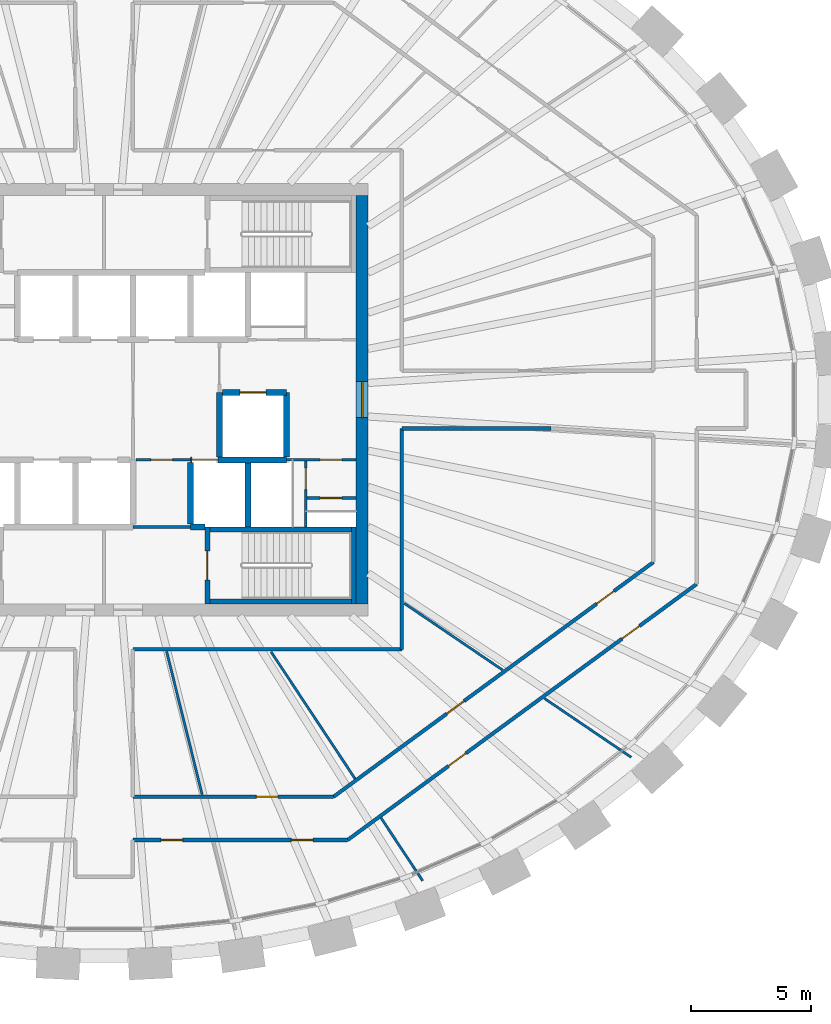
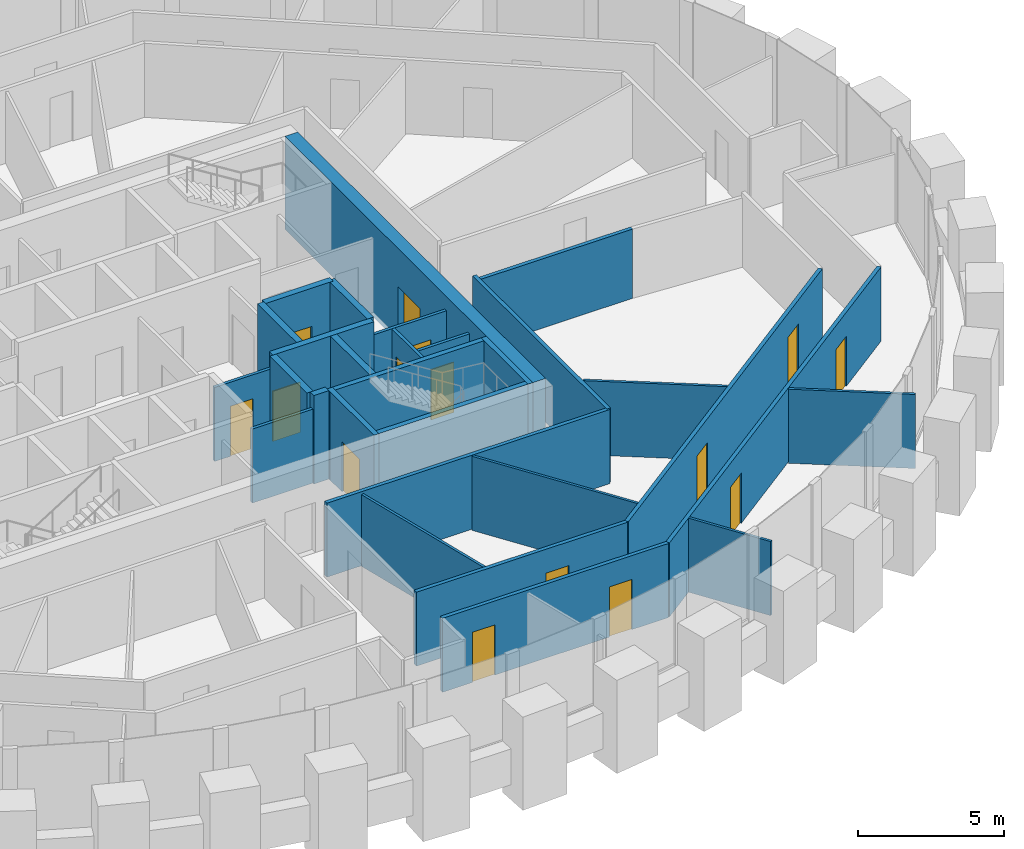
# One storey, part 8 of 12: 29 walls, 15 doors, 15 openings.
"""IFC4 building model written with IfcOpenShell, lengths in metres."""

from ifc_helpers import new_model, si_unit, direction, frame, frame_2d, origin, place, context, subcontext, project, spatial, rectangle, extrude, source, transform, mapped, material, layer, layer_set, type_object, element, fill, save


model = new_model("IFC4")

# Units and contexts
model_context = context("Model", 3, precision=1e-05, world=origin(), true_north=direction((0.0, 1.0)))
body_context = subcontext(model_context, "Body", "Model", "MODEL_VIEW")
ifc_project = project(units=[si_unit("LENGTHUNIT", "METRE"), si_unit("AREAUNIT", "SQUARE_METRE"), si_unit("VOLUMEUNIT", "CUBIC_METRE"), si_unit("PLANEANGLEUNIT", "RADIAN"), si_unit("MASSUNIT", "GRAM", prefix="KILO")], contexts=[model_context])

# Site, building, storey
site_placement = place(None, origin())
site = spatial("IfcSite", under=ifc_project, at=site_placement, CompositionType="ELEMENT")
building_placement = place(site_placement, origin())
building = spatial("IfcBuilding", under=site, at=building_placement, Name="Embergate Tower", CompositionType="ELEMENT")
storey_placement = place(building_placement, frame((0.0, 0.0, 313.0)))
storey = spatial("IfcBuildingStorey", under=building, at=storey_placement, Name="L73", CompositionType="ELEMENT", Elevation=313.0)

# Wall, opening, door
ifc_material_1 = material(Name="Concrete C50", Category="concrete")
ifc_layer_1 = layer(ifc_material_1, 0.5)
ifc_layer_set_1 = layer_set([ifc_layer_1], Name="Concrete C50")
wall_type_1 = type_object("IfcWallType", Name="Core outer wall C50 500", PredefinedType="SHEAR", material=ifc_layer_set_1)
shared_shape_1 = source(origin(), body_context, "Body", "SweptSolid", [
    extrude(rectangle(XDim=17.0, YDim=0.5, at=frame_2d((8.5, 0.0))), origin(), (0.0, 0.0, 1.0), 3.89990234375),
])
wall_1_placement = place(storey_placement, frame((10.75, -8.5, -0.199951171875), z_axis=(0.0, 0.0, 1.0), x_axis=(0.0, 1.0, 0.0)))
wall_1 = element("IfcWall", 1, at=wall_1_placement, inside=storey, type_object=wall_type_1, Name="CW-L73-E", PredefinedType="SHEAR", context=body_context, shape_type="MappedRepresentation", body=[
    mapped(shared_shape_1, transform((0.0, 0.0, 0.0))),
])
shared_shape_2 = source(origin(), body_context, "Body", "SweptSolid", [
    extrude(rectangle(XDim=1.5, YDim=2.10009765625, at=frame_2d((0.75, 1.050048828125))), frame((0.0, 0.260009765625, 0.0), z_axis=(0.0, -1.0, 0.0), x_axis=(1.0, 0.0, 0.0)), (0.0, 0.0, 1.0), 0.52001953125),
])
opening_1_placement = place(wall_1_placement, frame((7.75, 0.0, 0.199951171875)))
opening_1 = element("IfcOpeningElement", 2, at=opening_1_placement, cuts=wall_1, Name="Opening IF-3", PredefinedType="OPENING", context=body_context, shape_type="MappedRepresentation", body=[
    mapped(shared_shape_2, transform((0.0, 0.0, 0.0))),
])
ifc_material_2 = material(Name="Lobby fire door pair 1500")
door_type_1 = type_object("IfcDoorType", Name="Lobby fire door pair 1500", OperationType="DOUBLE_DOOR_SINGLE_SWING", PredefinedType="DOOR", material=ifc_material_2)
shared_shape_3 = source(origin(), body_context, "Body", "SweptSolid", [
    extrude(rectangle(XDim=1.5, YDim=2.10009765625, at=frame_2d((0.75, 1.050048828125))), frame((0.0, 0.02490234375, 0.0), z_axis=(0.0, -1.0, 0.0), x_axis=(1.0, 0.0, 0.0)), (0.0, 0.0, 1.0), 0.050048828125),
])
door_1_placement = place(opening_1_placement, origin())
door_1 = element("IfcDoor", 3, at=door_1_placement, inside=storey, type_object=door_type_1, Name="IF-3 door", OperationType="DOUBLE_DOOR_SINGLE_SWING", OverallHeight=2.10009765625, OverallWidth=1.5, PredefinedType="DOOR", context=body_context, shape_type="MappedRepresentation", body=[
    mapped(shared_shape_3, transform((0.0, 0.0, 0.0))),
])
fill(opening_1, door_1)

# Walls
ifc_layer_2 = layer(ifc_material_1, 0.25)
ifc_layer_set_2 = layer_set([ifc_layer_2], Name="Concrete C50")
wall_type_2 = type_object("IfcWallType", Name="Hoistway wall reinforced concrete 250", PredefinedType="SHEAR", material=ifc_layer_set_2)
shared_shape_4 = source(origin(), body_context, "Body", "SweptSolid", [
    extrude(rectangle(XDim=2.675048828125, YDim=0.25, at=frame_2d((1.33740234375, 0.0))), origin(), (0.0, 0.0, 1.0), 3.699951171875),
])
for number, where, z_axis, x_axis, name in (
    (4, (6.0, -5.300048828125, 0.0), (0.0, 0.0, 1.0), (0.0, 1.0, 0.0), "HW-1 wall"),
    (5, (4.800048828125, -2.375, 0.0), (0.0, 0.0, 1.0), (0.0, 1.0, 0.0), "HW-1 wall"),
):
    element("IfcWall", number, at=place(storey_placement, frame(where, z_axis=z_axis, x_axis=x_axis)), inside=storey, type_object=wall_type_2, Name=name, PredefinedType="SHEAR", context=body_context, shape_type="MappedRepresentation", body=[
        mapped(shared_shape_4, transform((0.0, 0.0, 0.0))),
    ])

# Wall, opening, door
wall_2_placement = place(storey_placement, frame((7.60009765625, 0.300048828125, 0.0), z_axis=(0.0, 0.0, 1.0), x_axis=(-1.0, 0.0, 0.0)))
wall_2 = element("IfcWall", 6, at=wall_2_placement, inside=storey, type_object=wall_type_2, Name="HW-1 wall", PredefinedType="SHEAR", context=body_context, shape_type="MappedRepresentation", body=[
    mapped(shared_shape_4, transform((0.0, 0.0, 0.0))),
])
shared_shape_5 = source(origin(), body_context, "Body", "SweptSolid", [
    extrude(rectangle(XDim=1.10009765625, YDim=2.10009765625, at=frame_2d((0.550048828125, 1.050048828125))), frame((0.0, 0.135009765625, 0.0), z_axis=(0.0, -1.0, 0.0), x_axis=(1.0, 0.0, 0.0)), (0.0, 0.0, 1.0), 0.27001953125),
])
opening_2_placement = place(wall_2_placement, frame((0.85009765625, 0.0, 0.0)))
opening_2 = element("IfcOpeningElement", 7, at=opening_2_placement, cuts=wall_2, Name="Opening LD", PredefinedType="OPENING", context=body_context, shape_type="MappedRepresentation", body=[
    mapped(shared_shape_5, transform((0.0, 0.0, 0.0))),
])
ifc_material_3 = material(Name="Landing door sliding 1100")
door_type_2 = type_object("IfcDoorType", Name="Landing door sliding 1100", OperationType="SLIDING_TO_LEFT", PredefinedType="DOOR", material=ifc_material_3)
shared_shape_6 = source(origin(), body_context, "Body", "SweptSolid", [
    extrude(rectangle(XDim=1.10009765625, YDim=2.10009765625, at=frame_2d((0.550048828125, 1.050048828125))), frame((0.0, 0.02490234375, 0.0), z_axis=(0.0, -1.0, 0.0), x_axis=(1.0, 0.0, 0.0)), (0.0, 0.0, 1.0), 0.050048828125),
])
door_2_placement = place(opening_2_placement, origin())
door_2 = element("IfcDoor", 8, at=door_2_placement, inside=storey, type_object=door_type_2, Name="LD door", OperationType="SLIDING_TO_RIGHT", OverallHeight=2.10009765625, OverallWidth=1.10009765625, PredefinedType="DOOR", context=body_context, shape_type="MappedRepresentation", body=[
    mapped(shared_shape_6, transform((0.0, 0.0, 0.0))),
])
fill(opening_2, door_2)

# Walls
wall_3_placement = place(storey_placement, frame((7.60009765625, -2.375, 0.0), z_axis=(0.0, 0.0, 1.0), x_axis=(0.0, 1.0, 0.0)))
element("IfcWall", 9, at=wall_3_placement, inside=storey, type_object=wall_type_2, Name="HW-1 wall", PredefinedType="SHEAR", context=body_context, shape_type="MappedRepresentation", body=[
    mapped(shared_shape_4, transform((0.0, 0.0, 0.0))),
])
ifc_layer_3 = layer(ifc_material_1, 0.199951171875)
ifc_layer_set_3 = layer_set([ifc_layer_3], Name="Concrete C50")
wall_type_3 = type_object("IfcWallType", Name="Stair enclosure wall reinforced concrete 250", PredefinedType="SHEAR", material=ifc_layer_set_3)
shared_shape_7 = source(origin(), body_context, "Body", "SweptSolid", [
    extrude(rectangle(XDim=6.300048828125, YDim=0.199951171875, at=frame_2d((3.14990234375, 0.0))), origin(), (0.0, 0.0, 1.0), 3.699951171875),
])
wall_4_placement = place(storey_placement, frame((4.199951171875, -5.39990234375, 0.0), z_axis=(0.0, 0.0, 1.0), x_axis=(1.0, 0.0, 0.0)))
element("IfcWall", 10, at=wall_4_placement, inside=storey, type_object=wall_type_3, Name="SE-1 wall", PredefinedType="SHEAR", context=body_context, shape_type="MappedRepresentation", body=[
    mapped(shared_shape_7, transform((0.0, 0.0, 0.0))),
])

# Wall, opening, door
ifc_material_4 = material(Name="Core partition blockwork 120")
ifc_layer_4 = layer(ifc_material_4, 0.1201171875)
ifc_layer_set_4 = layer_set([ifc_layer_4], Name="Core partition blockwork 120")
wall_type_4 = type_object("IfcWallType", Name="Core partition blockwork 120", PredefinedType="PARTITIONING", material=ifc_layer_set_4)
shared_shape_8 = source(origin(), body_context, "Body", "SweptSolid", [
    extrude(rectangle(XDim=2.739990234375, YDim=0.1201171875, at=frame_2d((1.3701171875, 0.0))), origin(), (0.0, 0.0, 1.0), 3.10009765625),
])
wall_5_placement = place(storey_placement, frame((8.39990234375, -5.300048828125, 0.0), z_axis=(0.0, 0.0, 1.0), x_axis=(0.0, 1.0, 0.0)))
wall_5 = element("IfcWall", 11, at=wall_5_placement, inside=storey, type_object=wall_type_4, Name="IP-3 wall", PredefinedType="PARTITIONING", context=body_context, shape_type="MappedRepresentation", body=[
    mapped(shared_shape_8, transform((0.0, 0.0, 0.0))),
])
shared_shape_9 = source(origin(), body_context, "Body", "SweptSolid", [
    extrude(rectangle(XDim=0.89990234375, YDim=2.10009765625, at=frame_2d((0.449951171875, 1.050048828125))), frame((0.0, 0.070068359375, 0.0), z_axis=(0.0, -1.0, 0.0), x_axis=(1.0, 0.0, 0.0)), (0.0, 0.0, 1.0), 0.14013671875),
])
opening_3_placement = place(wall_5_placement, frame((1.552001953125, 0.0, 0.0)))
opening_3 = element("IfcOpeningElement", 12, at=opening_3_placement, cuts=wall_5, Name="Opening ID-1", PredefinedType="OPENING", context=body_context, shape_type="MappedRepresentation", body=[
    mapped(shared_shape_9, transform((0.0, 0.0, 0.0))),
])
ifc_material_5 = material(Name="Interior door 900")
door_type_3 = type_object("IfcDoorType", Name="Interior door 900", OperationType="SINGLE_SWING_LEFT", PredefinedType="DOOR", material=ifc_material_5)
shared_shape_10 = source(origin(), body_context, "Body", "SweptSolid", [
    extrude(rectangle(XDim=0.89990234375, YDim=2.10009765625, at=frame_2d((0.449951171875, 1.050048828125))), frame((0.0, 0.02490234375, 0.0), z_axis=(0.0, -1.0, 0.0), x_axis=(1.0, 0.0, 0.0)), (0.0, 0.0, 1.0), 0.050048828125),
])
door_3_placement = place(opening_3_placement, origin())
door_3 = element("IfcDoor", 13, at=door_3_placement, inside=storey, type_object=door_type_3, Name="ID-1 door", OperationType="SINGLE_SWING_LEFT", OverallHeight=2.10009765625, OverallWidth=0.89990234375, PredefinedType="DOOR", context=body_context, shape_type="MappedRepresentation", body=[
    mapped(shared_shape_10, transform((0.0, 0.0, 0.0))),
])
fill(opening_3, door_3)

# Wall
shared_shape_11 = source(origin(), body_context, "Body", "SweptSolid", [
    extrude(rectangle(XDim=2.550048828125, YDim=0.25, at=frame_2d((1.27490234375, 0.0))), origin(), (0.0, 0.0, 1.0), 3.699951171875),
])
wall_6_placement = place(storey_placement, frame((3.60009765625, -2.625, 0.0), z_axis=(0.0, 0.0, 1.0), x_axis=(0.0, -1.0, 0.0)))
element("IfcWall", 14, at=wall_6_placement, inside=storey, type_object=wall_type_2, Name="HW-1 wall", PredefinedType="SHEAR", context=body_context, shape_type="MappedRepresentation", body=[
    mapped(shared_shape_11, transform((0.0, 0.0, 0.0))),
])

# Wall, opening, door
shared_shape_12 = source(origin(), body_context, "Body", "SweptSolid", [
    extrude(rectangle(XDim=3.199951171875, YDim=0.199951171875, at=frame_2d((1.60009765625, 0.0))), origin(), (0.0, 0.0, 1.0), 3.699951171875),
])
wall_7_placement = place(storey_placement, frame((4.300048828125, -5.300048828125, 0.0), z_axis=(0.0, 0.0, 1.0), x_axis=(0.0, -1.0, 0.0)))
wall_7 = element("IfcWall", 15, at=wall_7_placement, inside=storey, type_object=wall_type_3, Name="SE-1 wall", PredefinedType="SHEAR", context=body_context, shape_type="MappedRepresentation", body=[
    mapped(shared_shape_12, transform((0.0, 0.0, 0.0))),
])
shared_shape_13 = source(origin(), body_context, "Body", "SweptSolid", [
    extrude(rectangle(XDim=1.199951171875, YDim=2.10009765625, at=frame_2d((0.60009765625, 1.050048828125))), frame((0.0, 0.10986328125, 0.0), z_axis=(0.0, -1.0, 0.0), x_axis=(1.0, 0.0, 0.0)), (0.0, 0.0, 1.0), 0.219970703125),
])
opening_4_placement = place(wall_7_placement, frame((1.0, 0.0, 0.0)))
opening_4 = element("IfcOpeningElement", 16, at=opening_4_placement, cuts=wall_7, Name="Opening IF-2", PredefinedType="OPENING", context=body_context, shape_type="MappedRepresentation", body=[
    mapped(shared_shape_13, transform((0.0, 0.0, 0.0))),
])
ifc_material_6 = material(Name="Stair enclosure door 1200")
door_type_4 = type_object("IfcDoorType", Name="Stair enclosure door 1200", OperationType="SINGLE_SWING_LEFT", PredefinedType="DOOR", material=ifc_material_6)
shared_shape_14 = source(origin(), body_context, "Body", "SweptSolid", [
    extrude(rectangle(XDim=1.199951171875, YDim=2.10009765625, at=frame_2d((0.60009765625, 1.050048828125))), frame((0.0, 0.02490234375, 0.0), z_axis=(0.0, -1.0, 0.0), x_axis=(1.0, 0.0, 0.0)), (0.0, 0.0, 1.0), 0.050048828125),
])
door_4_placement = place(opening_4_placement, origin())
door_4 = element("IfcDoor", 17, at=door_4_placement, inside=storey, type_object=door_type_4, Name="IF-2 door", OperationType="SINGLE_SWING_RIGHT", OverallHeight=2.10009765625, OverallWidth=1.199951171875, PredefinedType="DOOR", context=body_context, shape_type="MappedRepresentation", body=[
    mapped(shared_shape_14, transform((0.0, 0.0, 0.0))),
])
fill(opening_4, door_4)

# Wall
shared_shape_15 = source(origin(), body_context, "Body", "SweptSolid", [
    extrude(rectangle(XDim=0.599853515625, YDim=0.25, at=frame_2d((0.2998046875, 0.0))), origin(), (0.0, 0.0, 1.0), 3.699951171875),
])
wall_8_placement = place(storey_placement, frame((3.60009765625, -5.300048828125, 0.0), z_axis=(0.0, 0.0, 1.0), x_axis=(1.0, 0.0, 0.0)))
element("IfcWall", 18, at=wall_8_placement, inside=storey, type_object=wall_type_2, Name="HW-1 wall", PredefinedType="SHEAR", context=body_context, shape_type="MappedRepresentation", body=[
    mapped(shared_shape_15, transform((0.0, 0.0, 0.0))),
])

# Wall, opening, door
shared_shape_16 = source(origin(), body_context, "Body", "SweptSolid", [
    extrude(rectangle(XDim=4.0, YDim=0.25, at=frame_2d((2.0, 0.0))), origin(), (0.0, 0.0, 1.0), 3.699951171875),
])
wall_9_placement = place(storey_placement, frame((7.60009765625, -2.5, 0.0), z_axis=(0.0, 0.0, 1.0), x_axis=(-1.0, 0.0, 0.0)))
wall_9 = element("IfcWall", 19, at=wall_9_placement, inside=storey, type_object=wall_type_2, Name="HW-1 wall", PredefinedType="SHEAR", context=body_context, shape_type="MappedRepresentation", body=[
    mapped(shared_shape_16, transform((0.0, 0.0, 0.0))),
])
opening_5_placement = place(wall_9_placement, frame((2.85009765625, 0.0, 0.0)))
opening_5 = element("IfcOpeningElement", 20, at=opening_5_placement, cuts=wall_9, Name="Opening LD", PredefinedType="OPENING", context=body_context, shape_type="MappedRepresentation", body=[
    mapped(shared_shape_5, transform((0.0, 0.0, 0.0))),
])
door_5_placement = place(opening_5_placement, origin())
door_5 = element("IfcDoor", 21, at=door_5_placement, inside=storey, type_object=door_type_2, Name="LD door", OperationType="SLIDING_TO_RIGHT", OverallHeight=2.10009765625, OverallWidth=1.10009765625, PredefinedType="DOOR", context=body_context, shape_type="MappedRepresentation", body=[
    mapped(shared_shape_6, transform((0.0, 0.0, 0.0))),
])
fill(opening_5, door_5)

# Walls
shared_shape_17 = source(origin(), body_context, "Body", "SweptSolid", [
    extrude(rectangle(XDim=6.298095703125, YDim=0.199951171875, at=frame_2d((3.14892578125, 0.0))), origin(), (0.0, 0.0, 1.0), 3.699951171875),
])
wall_10_placement = place(storey_placement, frame((4.201904296875, -8.39990234375, 0.0), z_axis=(0.0, 0.0, 1.0), x_axis=(1.0, 0.0, 0.0)))
element("IfcWall", 22, at=wall_10_placement, inside=storey, type_object=wall_type_3, Name="SE-1 wall", PredefinedType="SHEAR", context=body_context, shape_type="MappedRepresentation", body=[
    mapped(shared_shape_17, transform((0.0, 0.0, 0.0))),
])
shared_shape_18 = source(origin(), body_context, "Body", "SweptSolid", [
    extrude(rectangle(XDim=3.197998046875, YDim=0.199951171875, at=frame_2d((1.59912109375, 0.0))), origin(), (0.0, 0.0, 1.0), 3.699951171875),
])
wall_11_placement = place(storey_placement, frame((10.39990234375, -8.5, 0.0), z_axis=(0.0, 0.0, 1.0), x_axis=(0.0, 1.0, 0.0)))
element("IfcWall", 23, at=wall_11_placement, inside=storey, type_object=wall_type_3, Name="SE-1 wall", PredefinedType="SHEAR", context=body_context, shape_type="MappedRepresentation", body=[
    mapped(shared_shape_18, transform((0.0, 0.0, 0.0))),
])
ifc_material_7 = material(Name="Corridor wall dry-lined 150 wet")
ifc_layer_5 = layer(ifc_material_7, 0.14990234375)
ifc_layer_set_5 = layer_set([ifc_layer_5], Name="Corridor wall dry-lined 150 wet")
wall_type_5 = type_object("IfcWallType", Name="Corridor wall dry-lined 150 wet", PredefinedType="PLUMBINGWALL", material=ifc_layer_set_5)
shared_shape_19 = source(origin(), body_context, "Body", "SweptSolid", [
    extrude(rectangle(XDim=9.199951171875, YDim=0.14990234375, at=frame_2d((4.60009765625, 0.0))), origin(), (0.0, 0.0, 1.0), 3.10009765625),
])
wall_12_placement = place(storey_placement, frame((12.39990234375, -10.39990234375, 0.0), z_axis=(0.0, 0.0, 1.0), x_axis=(0.0, 1.0, 0.0)))
element("IfcWall", 24, at=wall_12_placement, inside=storey, type_object=wall_type_5, Name="IP-2 wall", PredefinedType="PLUMBINGWALL", context=body_context, shape_type="MappedRepresentation", body=[
    mapped(shared_shape_19, transform((0.0, 0.0, 0.0))),
])
ifc_material_8 = material(Name="Corridor wall dry-lined 150")
ifc_layer_6 = layer(ifc_material_8, 0.14990234375)
ifc_layer_set_6 = layer_set([ifc_layer_6], Name="Corridor wall dry-lined 150")
wall_type_6 = type_object("IfcWallType", Name="Corridor wall dry-lined 150", PredefinedType="PARTITIONING", material=ifc_layer_set_6)
shared_shape_20 = source(origin(), body_context, "Body", "SweptSolid", [
    extrude(rectangle(XDim=11.199951171875, YDim=0.14990234375, at=frame_2d((5.60009765625, 0.0))), origin(), (0.0, 0.0, 1.0), 3.10009765625),
])
wall_13_placement = place(storey_placement, frame((12.39990234375, -10.39990234375, 0.0), z_axis=(0.0, 0.0, 1.0), x_axis=(-1.0, 0.0, 0.0)))
element("IfcWall", 25, at=wall_13_placement, inside=storey, type_object=wall_type_6, Name="IP-2 wall", PredefinedType="PARTITIONING", context=body_context, shape_type="MappedRepresentation", body=[
    mapped(shared_shape_20, transform((0.0, 0.0, 0.0))),
])

# Wall, opening, door
shared_shape_21 = source(origin(), body_context, "Body", "SweptSolid", [
    extrude(rectangle(XDim=2.89990234375, YDim=0.1201171875, at=frame_2d((1.449951171875, 0.0))), origin(), (0.0, 0.0, 1.0), 3.10009765625),
])
wall_14_placement = place(storey_placement, frame((10.5, -2.5, 0.0), z_axis=(0.0, 0.0, 1.0), x_axis=(-1.0, 0.0, 0.0)))
wall_14 = element("IfcWall", 26, at=wall_14_placement, inside=storey, type_object=wall_type_4, Name="IP-3 wall", PredefinedType="PARTITIONING", context=body_context, shape_type="MappedRepresentation", body=[
    mapped(shared_shape_21, transform((0.0, 0.0, 0.0))),
])
opening_6_placement = place(wall_14_placement, frame((0.60009765625, 0.0, 0.0)))
opening_6 = element("IfcOpeningElement", 27, at=opening_6_placement, cuts=wall_14, Name="Opening ID-1", PredefinedType="OPENING", context=body_context, shape_type="MappedRepresentation", body=[
    mapped(shared_shape_9, transform((0.0, 0.0, 0.0))),
])
door_6_placement = place(opening_6_placement, origin())
door_6 = element("IfcDoor", 28, at=door_6_placement, inside=storey, type_object=door_type_3, Name="ID-1 door", OperationType="SINGLE_SWING_RIGHT", OverallHeight=2.10009765625, OverallWidth=0.89990234375, PredefinedType="DOOR", context=body_context, shape_type="MappedRepresentation", body=[
    mapped(shared_shape_10, transform((0.0, 0.0, 0.0))),
])
fill(opening_6, door_6)

# Wall
shared_shape_22 = source(origin(), body_context, "Body", "SweptSolid", [
    extrude(rectangle(XDim=2.400146484375, YDim=0.1201171875, at=frame_2d((1.2001953125, 0.0))), origin(), (0.0, 0.0, 1.0), 3.10009765625),
])
wall_15_placement = place(storey_placement, frame((3.60009765625, -5.300048828125, 0.0), z_axis=(0.0, 0.0, 1.0), x_axis=(-1.0, 0.0, 0.0)))
element("IfcWall", 29, at=wall_15_placement, inside=storey, type_object=wall_type_4, Name="IP-3 wall", PredefinedType="PARTITIONING", context=body_context, shape_type="MappedRepresentation", body=[
    mapped(shared_shape_22, transform((0.0, 0.0, 0.0))),
])

# Wall, opening, door
shared_shape_23 = source(origin(), body_context, "Body", "SweptSolid", [
    extrude(rectangle(XDim=2.0400390625, YDim=0.1201171875, at=frame_2d((1.02001953125, 0.0))), origin(), (0.0, 0.0, 1.0), 3.10009765625),
])
wall_16_placement = place(storey_placement, frame((10.5, -4.095947265625, 0.0), z_axis=(0.0, 0.0, 1.0), x_axis=(-1.0, 0.0, 0.0)))
wall_16 = element("IfcWall", 30, at=wall_16_placement, inside=storey, type_object=wall_type_4, Name="IP-3 wall", PredefinedType="PARTITIONING", context=body_context, shape_type="MappedRepresentation", body=[
    mapped(shared_shape_23, transform((0.0, 0.0, 0.0))),
])
opening_7_placement = place(wall_16_placement, frame((0.60009765625, 0.0, 0.0)))
opening_7 = element("IfcOpeningElement", 31, at=opening_7_placement, cuts=wall_16, Name="Opening ID-1", PredefinedType="OPENING", context=body_context, shape_type="MappedRepresentation", body=[
    mapped(shared_shape_9, transform((0.0, 0.0, 0.0))),
])
door_7_placement = place(opening_7_placement, origin())
door_7 = element("IfcDoor", 32, at=door_7_placement, inside=storey, type_object=door_type_3, Name="ID-1 door", OperationType="SINGLE_SWING_RIGHT", OverallHeight=2.10009765625, OverallWidth=0.89990234375, PredefinedType="DOOR", context=body_context, shape_type="MappedRepresentation", body=[
    mapped(shared_shape_10, transform((0.0, 0.0, 0.0))),
])
fill(opening_7, door_7)

shared_shape_24 = source(origin(), body_context, "Body", "SweptSolid", [
    extrude(rectangle(XDim=2.275146484375, YDim=0.1201171875, at=frame_2d((1.1376953125, 0.0))), origin(), (0.0, 0.0, 1.0), 3.10009765625),
])
wall_17_placement = place(storey_placement, frame((1.324951171875, -2.5, 0.0), z_axis=(0.0, 0.0, 1.0), x_axis=(1.0, 0.0, 0.0)))
wall_17 = element("IfcWall", 33, at=wall_17_placement, inside=storey, type_object=wall_type_4, Name="IP-3 wall", PredefinedType="PARTITIONING", context=body_context, shape_type="MappedRepresentation", body=[
    mapped(shared_shape_24, transform((0.0, 0.0, 0.0))),
])
opening_8_placement = place(wall_17_placement, frame((0.625, 0.0, 0.0)))
opening_8 = element("IfcOpeningElement", 34, at=opening_8_placement, cuts=wall_17, Name="Opening ID-1", PredefinedType="OPENING", context=body_context, shape_type="MappedRepresentation", body=[
    mapped(shared_shape_9, transform((0.0, 0.0, 0.0))),
])
door_8_placement = place(opening_8_placement, origin())
door_8 = element("IfcDoor", 35, at=door_8_placement, inside=storey, type_object=door_type_3, Name="ID-1 door", OperationType="SINGLE_SWING_RIGHT", OverallHeight=2.10009765625, OverallWidth=0.89990234375, PredefinedType="DOOR", context=body_context, shape_type="MappedRepresentation", body=[
    mapped(shared_shape_10, transform((0.0, 0.0, 0.0))),
])
fill(opening_8, door_8)

# Wall, openings, doors
shared_shape_25 = source(origin(), body_context, "Body", "SweptSolid", [
    extrude(rectangle(XDim=18.027099609375, YDim=0.14990234375, at=frame_2d((9.013671875, 0.0))), origin(), (0.0, 0.0, 1.0), 3.10009765625),
])
wall_18_placement = place(storey_placement, frame((24.681884765625, -7.679931640625, 0.0), z_axis=(0.0, 0.0, 1.0), x_axis=(-0.80638475932, -0.591391257914, 0.0)))
wall_18 = element("IfcWall", 36, at=wall_18_placement, inside=storey, type_object=wall_type_5, Name="IP-2 wall", PredefinedType="PLUMBINGWALL", context=body_context, shape_type="MappedRepresentation", body=[
    mapped(shared_shape_25, transform((0.0, 0.0, 0.0))),
])
shared_shape_26 = source(origin(), body_context, "Body", "SweptSolid", [
    extrude(rectangle(XDim=0.89990234375, YDim=2.10009765625, at=frame_2d((0.449951171875, 1.050048828125))), frame((0.0, 0.0849609375, 0.0), z_axis=(0.0, -1.0, 0.0), x_axis=(1.0, 0.0, 0.0)), (0.0, 0.0, 1.0), 0.169921875),
])
opening_9_placement = place(wall_18_placement, frame((11.916259765625, 0.0, 0.0)))
opening_9 = element("IfcOpeningElement", 37, at=opening_9_placement, cuts=wall_18, Name="Opening IF-1c", PredefinedType="OPENING", context=body_context, shape_type="MappedRepresentation", body=[
    mapped(shared_shape_26, transform((0.0, 0.0, 0.0))),
])
opening_10_placement = place(wall_18_placement, frame((2.95068359375, 0.0, 0.0)))
opening_10 = element("IfcOpeningElement", 38, at=opening_10_placement, cuts=wall_18, Name="Opening IF-1c", PredefinedType="OPENING", context=body_context, shape_type="MappedRepresentation", body=[
    mapped(shared_shape_26, transform((0.0, 0.0, 0.0))),
])
ifc_material_9 = material(Name="Escape fire door 900")
door_type_5 = type_object("IfcDoorType", Name="Escape fire door 900", OperationType="SINGLE_SWING_LEFT", PredefinedType="DOOR", material=ifc_material_9)
door_9_placement = place(opening_9_placement, origin())
door_9 = element("IfcDoor", 39, at=door_9_placement, inside=storey, type_object=door_type_5, Name="IF-1 door", OperationType="SINGLE_SWING_RIGHT", OverallHeight=2.10009765625, OverallWidth=0.89990234375, PredefinedType="DOOR", context=body_context, shape_type="MappedRepresentation", body=[
    mapped(shared_shape_10, transform((0.0, 0.0, 0.0))),
])
fill(opening_9, door_9)
door_10_placement = place(opening_10_placement, origin())
door_10 = element("IfcDoor", 40, at=door_10_placement, inside=storey, type_object=door_type_5, Name="IF-1 door", OperationType="SINGLE_SWING_LEFT", OverallHeight=2.10009765625, OverallWidth=0.89990234375, PredefinedType="DOOR", context=body_context, shape_type="MappedRepresentation", body=[
    mapped(shared_shape_10, transform((0.0, 0.0, 0.0))),
])
fill(opening_10, door_10)

shared_shape_27 = source(origin(), body_context, "Body", "SweptSolid", [
    extrude(rectangle(XDim=16.525634765625, YDim=0.14990234375, at=frame_2d((8.2626953125, 0.0))), origin(), (0.0, 0.0, 1.0), 3.10009765625),
])
wall_19_placement = place(storey_placement, frame((22.882080078125, -6.76806640625, 0.0), z_axis=(0.0, 0.0, 1.0), x_axis=(-0.806392784122, -0.591380315631, 0.0)))
wall_19 = element("IfcWall", 41, at=wall_19_placement, inside=storey, type_object=wall_type_5, Name="IP-2 wall", PredefinedType="PLUMBINGWALL", context=body_context, shape_type="MappedRepresentation", body=[
    mapped(shared_shape_27, transform((0.0, 0.0, 0.0))),
])
opening_11_placement = place(wall_19_placement, frame((9.776611328125, 0.0, 0.0)))
opening_11 = element("IfcOpeningElement", 42, at=opening_11_placement, cuts=wall_19, Name="Opening IF-1c", PredefinedType="OPENING", context=body_context, shape_type="MappedRepresentation", body=[
    mapped(shared_shape_26, transform((0.0, 0.0, 0.0))),
])
opening_12_placement = place(wall_19_placement, frame((2.0341796875, 0.0, 0.0)))
opening_12 = element("IfcOpeningElement", 43, at=opening_12_placement, cuts=wall_19, Name="Opening IF-1c", PredefinedType="OPENING", context=body_context, shape_type="MappedRepresentation", body=[
    mapped(shared_shape_26, transform((0.0, 0.0, 0.0))),
])
door_11_placement = place(opening_11_placement, origin())
door_11 = element("IfcDoor", 44, at=door_11_placement, inside=storey, type_object=door_type_5, Name="IF-1 door", OperationType="SINGLE_SWING_RIGHT", OverallHeight=2.10009765625, OverallWidth=0.89990234375, PredefinedType="DOOR", context=body_context, shape_type="MappedRepresentation", body=[
    mapped(shared_shape_10, transform((0.0, 0.0, 0.0))),
])
fill(opening_11, door_11)
door_12_placement = place(opening_12_placement, origin())
door_12 = element("IfcDoor", 45, at=door_12_placement, inside=storey, type_object=door_type_5, Name="IF-1 door", OperationType="SINGLE_SWING_RIGHT", OverallHeight=2.10009765625, OverallWidth=0.89990234375, PredefinedType="DOOR", context=body_context, shape_type="MappedRepresentation", body=[
    mapped(shared_shape_10, transform((0.0, 0.0, 0.0))),
])
fill(opening_12, door_12)

shared_shape_28 = source(origin(), body_context, "Body", "SweptSolid", [
    extrude(rectangle(XDim=8.945068359375, YDim=0.14990234375, at=frame_2d((4.47265625, 0.0))), origin(), (0.0, 0.0, 1.0), 3.10009765625),
])
wall_20_placement = place(storey_placement, frame((10.14501953125, -18.341064453125, 0.0), z_axis=(0.0, 0.0, 1.0), x_axis=(-1.0, 0.0, 0.0)))
wall_20 = element("IfcWall", 46, at=wall_20_placement, inside=storey, type_object=wall_type_6, Name="IP-2 wall", PredefinedType="PARTITIONING", context=body_context, shape_type="MappedRepresentation", body=[
    mapped(shared_shape_28, transform((0.0, 0.0, 0.0))),
])
opening_13_placement = place(wall_20_placement, frame((6.874267578125, 0.0, 0.0)))
opening_13 = element("IfcOpeningElement", 47, at=opening_13_placement, cuts=wall_20, Name="Opening IF-1c", PredefinedType="OPENING", context=body_context, shape_type="MappedRepresentation", body=[
    mapped(shared_shape_26, transform((0.0, 0.0, 0.0))),
])
opening_14_placement = place(wall_20_placement, frame((1.4462890625, 0.0, 0.0)))
opening_14 = element("IfcOpeningElement", 48, at=opening_14_placement, cuts=wall_20, Name="Opening IF-1c", PredefinedType="OPENING", context=body_context, shape_type="MappedRepresentation", body=[
    mapped(shared_shape_26, transform((0.0, 0.0, 0.0))),
])
door_13_placement = place(opening_13_placement, origin())
door_13 = element("IfcDoor", 49, at=door_13_placement, inside=storey, type_object=door_type_5, Name="IF-1 door", OperationType="SINGLE_SWING_LEFT", OverallHeight=2.10009765625, OverallWidth=0.89990234375, PredefinedType="DOOR", context=body_context, shape_type="MappedRepresentation", body=[
    mapped(shared_shape_10, transform((0.0, 0.0, 0.0))),
])
fill(opening_13, door_13)
door_14_placement = place(opening_14_placement, origin())
door_14 = element("IfcDoor", 50, at=door_14_placement, inside=storey, type_object=door_type_5, Name="IF-1 door", OperationType="SINGLE_SWING_RIGHT", OverallHeight=2.10009765625, OverallWidth=0.89990234375, PredefinedType="DOOR", context=body_context, shape_type="MappedRepresentation", body=[
    mapped(shared_shape_10, transform((0.0, 0.0, 0.0))),
])
fill(opening_14, door_14)

# Wall, opening, door
shared_shape_29 = source(origin(), body_context, "Body", "SweptSolid", [
    extrude(rectangle(XDim=8.35595703125, YDim=0.14990234375, at=frame_2d((4.177978515625, 0.0))), origin(), (0.0, 0.0, 1.0), 3.10009765625),
])
wall_21_placement = place(storey_placement, frame((1.199951171875, -16.541015625, 0.0), z_axis=(0.0, 0.0, 1.0), x_axis=(1.0, 0.0, 0.0)))
wall_21 = element("IfcWall", 51, at=wall_21_placement, inside=storey, type_object=wall_type_6, Name="IP-2 wall", PredefinedType="PARTITIONING", context=body_context, shape_type="MappedRepresentation", body=[
    mapped(shared_shape_29, transform((0.0, 0.0, 0.0))),
])
opening_15_placement = place(wall_21_placement, frame((5.138916015625, 0.0, 0.0)))
opening_15 = element("IfcOpeningElement", 52, at=opening_15_placement, cuts=wall_21, Name="Opening IF-1c", PredefinedType="OPENING", context=body_context, shape_type="MappedRepresentation", body=[
    mapped(shared_shape_26, transform((0.0, 0.0, 0.0))),
])
door_15_placement = place(opening_15_placement, origin())
door_15 = element("IfcDoor", 53, at=door_15_placement, inside=storey, type_object=door_type_5, Name="IF-1 door", OperationType="SINGLE_SWING_LEFT", OverallHeight=2.10009765625, OverallWidth=0.89990234375, PredefinedType="DOOR", context=body_context, shape_type="MappedRepresentation", body=[
    mapped(shared_shape_10, transform((0.0, 0.0, 0.0))),
])
fill(opening_15, door_15)

# Walls
ifc_material_10 = material(Name="Partition dry-lined 100 wet")
ifc_layer_7 = layer(ifc_material_10, 0.10009765625)
ifc_layer_set_7 = layer_set([ifc_layer_7], Name="Partition dry-lined 100 wet")
wall_type_7 = type_object("IfcWallType", Name="Partition dry-lined 100 wet", PredefinedType="PLUMBINGWALL", material=ifc_layer_set_7)
shared_shape_30 = source(origin(), body_context, "Body", "SweptSolid", [
    extrude(rectangle(XDim=6.148193359375, YDim=0.10009765625, at=frame_2d((3.07421875, 0.0))), origin(), (0.0, 0.0, 1.0), 3.0),
])
wall_22_placement = place(storey_placement, frame((2.60302734375, -10.487060546875, 0.0), z_axis=(0.0, 0.0, 1.0), x_axis=(0.240881463777, -0.970554542727, 0.0)))
element("IfcWall", 54, at=wall_22_placement, inside=storey, type_object=wall_type_7, Name="IP-1 wall", PredefinedType="PLUMBINGWALL", context=body_context, shape_type="MappedRepresentation", body=[
    mapped(shared_shape_30, transform((0.0, 0.0, 0.0))),
])
shared_shape_31 = source(origin(), body_context, "Body", "SweptSolid", [
    extrude(rectangle(XDim=3.14599609375, YDim=0.10009765625, at=frame_2d((1.572998046875, 0.0))), origin(), (0.0, 0.0, 1.0), 3.10009765625),
])
wall_23_placement = place(storey_placement, frame((11.531982421875, -17.4169921875, 0.0), z_axis=(0.0, 0.0, 1.0), x_axis=(0.552136710024, -0.833753592762, 0.0)))
element("IfcWall", 55, at=wall_23_placement, inside=storey, type_object=wall_type_7, Name="IP-1 wall", PredefinedType="PLUMBINGWALL", context=body_context, shape_type="MappedRepresentation", body=[
    mapped(shared_shape_31, transform((0.0, 0.0, 0.0))),
])
shared_shape_32 = source(origin(), body_context, "Body", "SweptSolid", [
    extrude(rectangle(XDim=4.3681640625, YDim=0.10009765625, at=frame_2d((2.18408203125, 0.0))), origin(), (0.0, 0.0, 1.0), 3.10009765625),
])
wall_24_placement = place(storey_placement, frame((21.9580078125, -14.89501953125, 0.0), z_axis=(0.0, 0.0, 1.0), x_axis=(-0.827595399026, 0.561325088973, 0.0)))
element("IfcWall", 56, at=wall_24_placement, inside=storey, type_object=wall_type_7, Name="IP-1 wall", PredefinedType="PLUMBINGWALL", context=body_context, shape_type="MappedRepresentation", body=[
    mapped(shared_shape_32, transform((0.0, 0.0, 0.0))),
])
shared_shape_33 = source(origin(), body_context, "Body", "SweptSolid", [
    extrude(rectangle(XDim=6.33984375, YDim=0.10009765625, at=frame_2d((3.169921875, 0.0))), origin(), (0.0, 0.0, 1.0), 3.10009765625),
])
wall_25_placement = place(storey_placement, frame((6.9541015625, -10.5029296875, 0.0), z_axis=(0.0, 0.0, 1.0), x_axis=(0.552066954082, -0.833799783048, 0.0)))
element("IfcWall", 57, at=wall_25_placement, inside=storey, type_object=wall_type_7, Name="IP-1 wall", PredefinedType="PLUMBINGWALL", context=body_context, shape_type="MappedRepresentation", body=[
    mapped(shared_shape_33, transform((0.0, 0.0, 0.0))),
])
shared_shape_34 = source(origin(), body_context, "Body", "SweptSolid", [
    extrude(rectangle(XDim=4.9521484375, YDim=0.10009765625, at=frame_2d((2.47607421875, 0.0))), origin(), (0.0, 0.0, 1.0), 3.10009765625),
])
wall_26_placement = place(storey_placement, frame((16.60107421875, -11.260986328125, 0.0), z_axis=(0.0, 0.0, 1.0), x_axis=(-0.827555938255, 0.561383263964, 0.0)))
element("IfcWall", 58, at=wall_26_placement, inside=storey, type_object=wall_type_7, Name="IP-1 wall", PredefinedType="PLUMBINGWALL", context=body_context, shape_type="MappedRepresentation", body=[
    mapped(shared_shape_34, transform((0.0, 0.0, 0.0))),
])
shared_shape_35 = source(origin(), body_context, "Body", "SweptSolid", [
    extrude(rectangle(XDim=6.218017578125, YDim=0.14990234375, at=frame_2d((3.10888671875, 0.0))), origin(), (0.0, 0.0, 1.0), 2.89990234375),
])
wall_27_placement = place(storey_placement, frame((12.39990234375, -1.199951171875, 0.0), z_axis=(0.0, 0.0, 1.0), x_axis=(1.0, 0.0, 0.0)))
element("IfcWall", 59, at=wall_27_placement, inside=storey, type_object=wall_type_6, Name="IP-2 wall", PredefinedType="PARTITIONING", context=body_context, shape_type="MappedRepresentation", body=[
    mapped(shared_shape_35, transform((0.0, 0.0, 0.0))),
])

save(model, "model.ifc")
